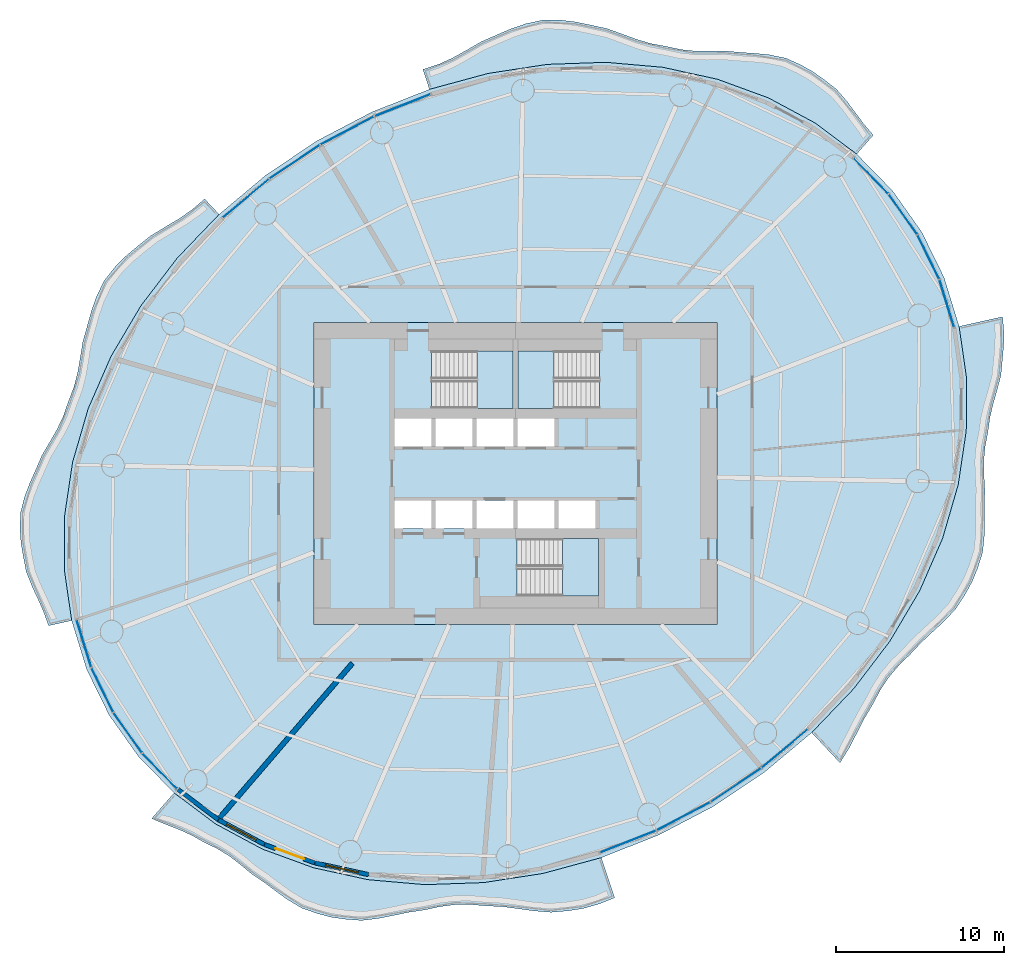
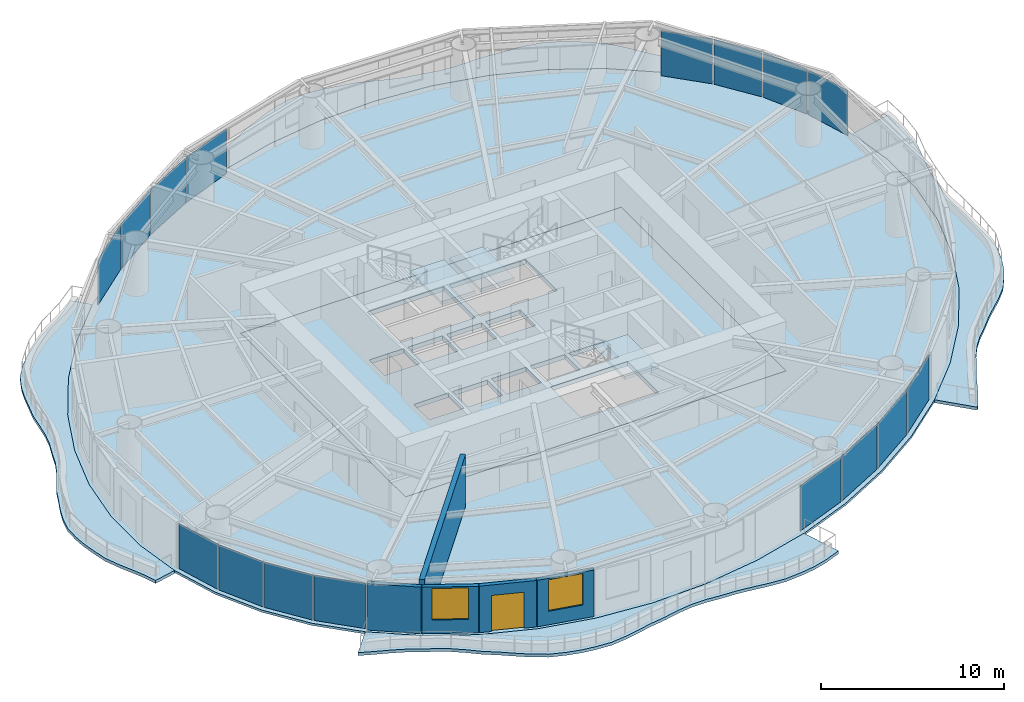
# One storey, part 7 of 14: 16 plates, 9 slabs, 5 walls, 2 windows, 1 door, 3 openings, 19 elements without a shape of their own.
"""IFC4 building model written with IfcOpenShell, lengths in metres."""

from ifc_helpers import new_model, si_unit, direction, frame, frame_2d, origin, origin_2d, place, context, subcontext, project, spatial, polyline, rectangle, outline, extrude, material, layer, layer_set, type_object, element, fill, aggregate, save


model = new_model("IFC4")

# Units and contexts
model_context = context("Model", 3, precision=1e-05, world=origin(), true_north=direction((0.0, 1.0)))
body_context = subcontext(model_context, "Body", "Model", "MODEL_VIEW")
ifc_project = project(units=[si_unit("LENGTHUNIT", "METRE"), si_unit("AREAUNIT", "SQUARE_METRE"), si_unit("VOLUMEUNIT", "CUBIC_METRE"), si_unit("PLANEANGLEUNIT", "RADIAN"), si_unit("MASSUNIT", "GRAM", prefix="KILO")], contexts=[model_context])

# Site, building, storey
site_placement = place(None, origin())
site = spatial("IfcSite", under=ifc_project, at=site_placement, CompositionType="ELEMENT")
building_placement = place(site_placement, origin())
building = spatial("IfcBuilding", under=site, at=building_placement, Name="Vermilion Reach Broadcast Tower", CompositionType="ELEMENT")
storey_placement = place(building_placement, frame((0.0, 0.0, 157.800048828125)))
storey = spatial("IfcBuildingStorey", under=building, at=storey_placement, Name="L37", CompositionType="ELEMENT", Elevation=157.800048828125)

# Slabs
ifc_material_1 = material(Name="Concrete C40/50", Category="concrete")
ifc_layer_1 = layer(ifc_material_1, 0.199951171875)
ifc_layer_set_1 = layer_set([ifc_layer_1], Name="Balcony slab 200")
slab_type_1 = type_object("IfcSlabType", Name="Balcony slab 200", PredefinedType="FLOOR", material=ifc_layer_set_1)
placement_1 = place(storey_placement, frame((0.0, 0.0, -0.199951171875)))
element("IfcSlab", 1, at=placement_1, inside=storey, type_object=slab_type_1, Name="Balcony slab L37 group 1", PredefinedType="FLOOR", context=body_context, shape_type="SweptSolid", body=[
    extrude(outline(polyline([(14.321044921875, 19.0185546875), (11.844482421875, 20.869873046875), (9.0625, 22.364013671875), (6.02294921875, 23.4755859375), (2.777587890625, 24.185302734375), (-0.617919921875, 24.4814453125), (-4.10546875, 24.358642578125), (-7.62548828125, 23.81884765625), (-11.117919921875, 22.871826171875), (-11.511474609375, 24.060546875), (-10.583984375, 24.359130859375), (-9.749267578125, 24.737060546875), (-8.934814453125, 25.190185546875), (-8.026611328125, 25.714111328125), (-7.0791015625, 26.128662109375), (-6.233642578125, 26.489990234375), (-5.377685546875, 26.780517578125), (-4.353759765625, 27.0009765625), (-3.325439453125, 26.997314453125), (-2.448974609375, 26.89404296875), (-1.569580078125, 26.71533203125), (-0.56591796875, 26.495849609375), (0.38330078125, 26.15478515625), (1.212158203125, 25.850830078125), (2.0458984375, 25.60498046875), (2.9677734375, 25.433837890625), (3.858642578125, 25.241455078125), (4.689697265625, 25.153564453125), (5.537109375, 25.141357421875), (6.511962890625, 25.157958984375), (7.467041015625, 25.06884765625), (8.30908203125, 25.015380859375), (9.13916015625, 24.929443359375), (10.121337890625, 24.723876953125), (11.010009765625, 24.321533203125), (11.697998046875, 23.934326171875), (12.348388671875, 23.4765625), (13.1220703125, 22.87451171875), (13.7578125, 22.138427734375), (14.237548828125, 21.4892578125), (14.71875, 20.841796875), (15.309814453125, 20.14794921875), (14.321044921875, 19.0185546875)])), origin(), (0.0, 0.0, 1.0), 0.199951171875),
])
element("IfcSlab", 2, at=placement_1, inside=storey, type_object=slab_type_1, Name="Balcony slab L37 group 2", PredefinedType="FLOOR", context=body_context, shape_type="SweptSolid", body=[
    extrude(outline(polyline([(-23.641845703125, 15.429443359375), (-26.143310546875, 12.815185546875), (-28.30029296875, 9.9814453125), (-30.075439453125, 6.976806640625), (-31.43896484375, 3.85302734375), (-32.366943359375, 0.663330078125), (-32.84375, -2.537841796875), (-32.861572265625, -5.695556640625), (-32.41943359375, -8.755859375), (-33.797119140625, -9.06494140625), (-34.098388671875, -8.21728515625), (-34.425048828125, -7.4833984375), (-34.767822265625, -6.751953125), (-35.125, -5.851806640625), (-35.312744140625, -4.892578125), (-35.442138671875, -4.102294921875), (-35.496337890625, -3.3125), (-35.46728515625, -2.336181640625), (-35.215576171875, -1.366455078125), (-34.921875, -0.59228515625), (-34.58056640625, 0.175048828125), (-34.199951171875, 1.064453125), (-33.70068359375, 1.916259765625), (-33.2763671875, 2.65771484375), (-32.917236328125, 3.418212890625), (-32.61669921875, 4.279296875), (-32.28515625, 5.152099609375), (-32.06787109375, 5.987060546875), (-31.915771484375, 6.850341796875), (-31.7568359375, 7.83642578125), (-31.481201171875, 8.82080078125), (-31.239990234375, 9.691650390625), (-30.9453125, 10.53076171875), (-30.4970703125, 11.458984375), (-29.852783203125, 12.281982421875), (-29.2216796875, 12.92041015625), (-28.52392578125, 13.50830078125), (-27.712646484375, 14.155517578125), (-26.80859375, 14.70361328125), (-26.003173828125, 15.18505859375), (-25.24365234375, 15.710205078125), (-24.5029296875, 16.34912109375), (-23.641845703125, 15.429443359375)])), origin(), (0.0, 0.0, 1.0), 0.199951171875),
])
element("IfcSlab", 3, at=placement_1, inside=storey, type_object=slab_type_1, Name="Balcony slab L37 group 3", PredefinedType="FLOOR", context=body_context, shape_type="SweptSolid", body=[
    extrude(outline(polyline([(-26.321044921875, -19.0185546875), (-23.844482421875, -20.869873046875), (-21.0625, -22.364013671875), (-18.02294921875, -23.4755859375), (-14.777587890625, -24.185302734375), (-11.382080078125, -24.4814453125), (-7.89453125, -24.358642578125), (-4.37451171875, -23.81884765625), (-0.882080078125, -22.871826171875), (-0.09033203125, -25.262939453125), (-1.066650390625, -25.647216796875), (-1.93701171875, -25.89453125), (-2.8349609375, -26.0390625), (-3.885498046875, -26.1298828125), (-4.934326171875, -26.0419921875), (-5.855224609375, -25.91015625), (-6.773681640625, -25.7939453125), (-7.764404296875, -25.743408203125), (-8.721435546875, -25.661865234375), (-9.593994140625, -25.67431640625), (-10.463134765625, -25.786376953125), (-11.421142578125, -25.9892578125), (-12.38134765625, -26.13330078125), (-13.25244140625, -26.314697265625), (-14.123291015625, -26.4912109375), (-15.1474609375, -26.6142578125), (-16.142822265625, -26.540283203125), (-16.96630859375, -26.41845703125), (-17.7705078125, -26.2080078125), (-18.72119140625, -25.876953125), (-19.576171875, -25.366943359375), (-20.257080078125, -24.873291015625), (-20.9326171875, -24.364501953125), (-21.72021484375, -23.830078125), (-22.428955078125, -23.239501953125), (-23.06640625, -22.75830078125), (-23.740478515625, -22.3447265625), (-24.5380859375, -21.958251953125), (-25.301025390625, -21.52734375), (-26.024169921875, -21.20361328125), (-26.772705078125, -20.9140625), (-27.657958984375, -20.54541015625), (-26.321044921875, -19.0185546875)])), origin(), (0.0, 0.0, 1.0), 0.199951171875),
])
element("IfcSlab", 4, at=placement_1, inside=storey, type_object=slab_type_1, Name="Balcony slab L37 group 4", PredefinedType="FLOOR", context=body_context, shape_type="SweptSolid", body=[
    extrude(outline(polyline([(11.641845703125, -15.429443359375), (14.143310546875, -12.815185546875), (16.30029296875, -9.9814453125), (18.075439453125, -6.976806640625), (19.43896484375, -3.85302734375), (20.366943359375, -0.663330078125), (20.84375, 2.537841796875), (20.861572265625, 5.695556640625), (20.41943359375, 8.755859375), (23.010498046875, 9.337158203125), (23.092041015625, 8.36083984375), (23.072998046875, 7.5771484375), (22.99755859375, 6.78515625), (22.907958984375, 5.8369140625), (22.6630859375, 4.89599609375), (22.435791015625, 4.10791015625), (22.25146484375, 3.319580078125), (22.131103515625, 2.43896484375), (21.961181640625, 1.553466796875), (21.89013671875, 0.745849609375), (21.8984375, -0.073486328125), (21.954345703125, -1.0107421875), (21.922607421875, -1.980712890625), (21.932373046875, -2.8486328125), (21.921875, -3.71044921875), (21.81689453125, -4.7138671875), (21.508544921875, -5.68603515625), (21.18017578125, -6.472412109375), (20.764892578125, -7.220947265625), (20.21435546875, -8.0703125), (19.49609375, -8.82958984375), (18.825927734375, -9.447021484375), (18.16162109375, -10.06787109375), (17.491943359375, -10.782958984375), (16.7900390625, -11.47314453125), (16.216796875, -12.155517578125), (15.7265625, -12.901123046875), (15.26171875, -13.7705078125), (14.746826171875, -14.64453125), (14.317138671875, -15.4853515625), (13.885009765625, -16.32373046875), (13.3271484375, -17.229248046875), (11.641845703125, -15.429443359375)])), origin(), (0.0, 0.0, 1.0), 0.199951171875),
])
ifc_material_2 = material(Name="Concrete C40", Category="concrete")
ifc_layer_2 = layer(ifc_material_2, 0.300048828125)
ifc_layer_set_2 = layer_set([ifc_layer_2], Name="Core floor slab 300 mm Concrete C40")
slab_type_2 = type_object("IfcSlabType", Name="Core floor slab 300 mm Concrete C40", PredefinedType="FLOOR", material=ifc_layer_set_2)
slab_5_placement = place(storey_placement, frame((0.0, 0.0, -0.300048828125)))
element("IfcSlab", 5, at=slab_5_placement, inside=storey, type_object=slab_type_2, Name="L37 core floor", PredefinedType="FLOOR", context=body_context, shape_type="SweptSolid", body=[
    extrude(outline(polyline([(-18.0, -9.0), (6.0, -9.0), (6.0, 9.0), (-18.0, 9.0), (-18.0, -9.0)]), holes=[polyline([(-13.199951171875, 1.60009765625), (-11.00830078125, 1.60009765625), (-11.00830078125, 3.280029296875), (-13.199951171875, 3.280029296875), (-13.199951171875, 1.60009765625)]), polyline([(-10.75830078125, 1.60009765625), (-8.566650390625, 1.60009765625), (-8.566650390625, 3.280029296875), (-10.75830078125, 3.280029296875), (-10.75830078125, 1.60009765625)]), polyline([(-8.316650390625, 1.60009765625), (-6.125, 1.60009765625), (-6.125, 3.280029296875), (-8.316650390625, 3.280029296875), (-8.316650390625, 1.60009765625)]), polyline([(-5.875, 1.60009765625), (-3.683349609375, 1.60009765625), (-3.683349609375, 3.280029296875), (-5.875, 3.280029296875), (-5.875, 1.60009765625)]), polyline([(-13.199951171875, -3.280029296875), (-11.00830078125, -3.280029296875), (-11.00830078125, -1.60009765625), (-13.199951171875, -1.60009765625), (-13.199951171875, -3.280029296875)]), polyline([(-10.75830078125, -3.280029296875), (-8.566650390625, -3.280029296875), (-8.566650390625, -1.60009765625), (-10.75830078125, -1.60009765625), (-10.75830078125, -3.280029296875)]), polyline([(-8.316650390625, -3.280029296875), (-6.125, -3.280029296875), (-6.125, -1.60009765625), (-8.316650390625, -1.60009765625), (-8.316650390625, -3.280029296875)]), polyline([(-5.875, -3.280029296875), (-3.683349609375, -3.280029296875), (-3.683349609375, -1.60009765625), (-5.875, -1.60009765625), (-5.875, -3.280029296875)]), polyline([(-3.433349609375, -3.280029296875), (-1.24169921875, -3.280029296875), (-1.24169921875, -1.60009765625), (-3.433349609375, -1.60009765625), (-3.433349609375, -3.280029296875)]), polyline([(-10.999267578125, 3.8798828125), (-6.14990234375, 3.8798828125), (-6.14990234375, 7.300048828125), (-10.999267578125, 7.300048828125), (-10.999267578125, 3.8798828125)]), polyline([(-1.000732421875, 7.300048828125), (-5.85009765625, 7.300048828125), (-5.85009765625, 3.8798828125), (-1.000732421875, 3.8798828125), (-1.000732421875, 7.300048828125)]), polyline([(-5.8994140625, -7.300048828125), (-1.050048828125, -7.300048828125), (-1.050048828125, -3.8798828125), (-5.8994140625, -3.8798828125), (-5.8994140625, -7.300048828125)])]), origin(), (0.0, 0.0, 1.0), 0.300048828125),
])

# Stair, slab
ifc_material_3 = material(Name="Concrete C40", Category="concrete")
stair_type = type_object("IfcStairType", Name="Exit stair RC 22 risers 164 mm", PredefinedType="HALF_TURN_STAIR", material=ifc_material_3)
placement_2 = place(storey_placement, origin())
stair_1 = element("IfcStair", 6, at=placement_2, inside=storey, type_object=stair_type, Name="L37 Exit stair ST1", PredefinedType="HALF_TURN_STAIR")
ifc_material_4 = material(Name="Concrete C40", Category="concrete")
ifc_layer_3 = layer(ifc_material_4, 0.199951171875)
ifc_layer_set_3 = layer_set([ifc_layer_3], Name="Exit stair landing Concrete C40")
slab_type_3 = type_object("IfcSlabType", Name="Exit stair landing Concrete C40", PredefinedType="LANDING", material=ifc_layer_set_3)
placement_3 = place(storey_placement, frame((0.0, 0.0, 1.599853515625)))
slab_6 = element("IfcSlab", 7, at=placement_3, type_object=slab_type_3, Name="ST1 landing 1", PredefinedType="LANDING", context=body_context, shape_type="SweptSolid", body=[
    extrude(outline(polyline([(-8.300048828125, 3.8798828125), (-6.14990234375, 3.8798828125), (-6.14990234375, 7.300048828125), (-8.300048828125, 7.300048828125), (-8.300048828125, 3.8798828125)])), origin(), (0.0, 0.0, 1.0), 0.2001953125),
])
aggregate(stair_1, [slab_6])

stair_2 = element("IfcStair", 8, at=placement_2, inside=storey, type_object=stair_type, Name="L37 Exit stair ST2", PredefinedType="HALF_TURN_STAIR")
slab_7 = element("IfcSlab", 9, at=placement_3, type_object=slab_type_3, Name="ST2 landing 1", PredefinedType="LANDING", context=body_context, shape_type="SweptSolid", body=[
    extrude(outline(polyline([(-3.699951171875, 7.300048828125), (-5.85009765625, 7.300048828125), (-5.85009765625, 3.8798828125), (-3.699951171875, 3.8798828125), (-3.699951171875, 7.300048828125)])), origin(), (0.0, 0.0, 1.0), 0.2001953125),
])
aggregate(stair_2, [slab_7])

stair_3 = element("IfcStair", 10, at=placement_2, inside=storey, type_object=stair_type, Name="L37 Exit stair ST3", PredefinedType="HALF_TURN_STAIR")
slab_8 = element("IfcSlab", 11, at=placement_3, type_object=slab_type_3, Name="ST3 landing 1", PredefinedType="LANDING", context=body_context, shape_type="SweptSolid", body=[
    extrude(outline(polyline([(-3.199951171875, -7.300048828125), (-1.050048828125, -7.300048828125), (-1.050048828125, -3.8798828125), (-3.199951171875, -3.8798828125), (-3.199951171875, -7.300048828125)])), origin(), (0.0, 0.0, 1.0), 0.2001953125),
])
aggregate(stair_3, [slab_8])

# Slab
ifc_material_5 = material(Name="Concrete C40", Category="concrete")
ifc_layer_4 = layer(ifc_material_5, 0.14990234375)
ifc_layer_set_4 = layer_set([ifc_layer_4], Name="Floor slab Concrete C40 composite 150")
slab_type_4 = type_object("IfcSlabType", Name="Floor slab Concrete C40 composite 150", PredefinedType="FLOOR", material=ifc_layer_set_4)
slab_9_placement = place(storey_placement, frame((0.0, 0.0, -0.150146484375)))
element("IfcSlab", 12, at=slab_9_placement, inside=storey, type_object=slab_type_4, Name="Floor slab L37", PredefinedType="FLOOR", context=body_context, shape_type="SweptSolid", body=[
    extrude(outline(polyline([(18.194580078125, 14.377197265625), (16.449951171875, 16.842041015625), (14.321044921875, 19.0185546875), (11.844482421875, 20.869873046875), (9.0625, 22.364013671875), (6.02294921875, 23.4755859375), (2.777587890625, 24.185302734375), (-0.617919921875, 24.4814453125), (-4.10546875, 24.358642578125), (-7.62548828125, 23.81884765625), (-11.117919921875, 22.871826171875), (-14.5224609375, 21.533203125), (-17.78125, 19.826171875), (-20.838623046875, 17.780029296875), (-23.641845703125, 15.429443359375), (-26.143310546875, 12.815185546875), (-28.30029296875, 9.9814453125), (-30.075439453125, 6.976806640625), (-31.43896484375, 3.85302734375), (-32.366943359375, 0.663330078125), (-32.84375, -2.537841796875), (-32.861572265625, -5.695556640625), (-32.41943359375, -8.755859375), (-31.525390625, -11.666259765625), (-30.194580078125, -14.377197265625), (-28.449951171875, -16.842041015625), (-26.321044921875, -19.0185546875), (-23.844482421875, -20.869873046875), (-21.0625, -22.364013671875), (-18.02294921875, -23.4755859375), (-14.777587890625, -24.185302734375), (-11.382080078125, -24.4814453125), (-7.89453125, -24.358642578125), (-4.37451171875, -23.81884765625), (-0.882080078125, -22.871826171875), (2.5224609375, -21.533203125), (5.78125, -19.826171875), (8.838623046875, -17.780029296875), (11.641845703125, -15.429443359375), (14.143310546875, -12.815185546875), (16.30029296875, -9.9814453125), (18.075439453125, -6.976806640625), (19.43896484375, -3.85302734375), (20.366943359375, -0.663330078125), (20.84375, 2.537841796875), (20.861572265625, 5.695556640625), (20.41943359375, 8.755859375), (19.525390625, 11.666259765625), (18.194580078125, 14.377197265625)]), holes=[polyline([(-18.0, -9.0), (6.0, -9.0), (6.0, 9.0), (-18.0, 9.0), (-18.0, -9.0)])]), origin(), (0.0, 0.0, 1.0), 0.150146484375),
])

# Curtain wall, plate
ifc_material_6 = material(Name="Low-e laminated clear glass in aluminium frame", Category="aluminium")
curtain_wall_type = type_object("IfcCurtainWallType", Name="Slot curtain wall", PredefinedType="NOTDEFINED", material=ifc_material_6)
curtain_wall_1 = element("IfcCurtainWall", 13, at=placement_2, inside=storey, type_object=curtain_wall_type, Name="Slot curtain wall L37 46", PredefinedType="NOTDEFINED")
ifc_material_7 = material(Name="Low-e laminated clear glass", Category="glass")
ifc_layer_5 = layer(ifc_material_7, 0.028076171875)
ifc_layer_set_5 = layer_set([ifc_layer_5], Name="Slot glass panel")
plate_type = type_object("IfcPlateType", Name="Slot glass panel", PredefinedType="CURTAIN_PANEL", material=ifc_layer_set_5)
plate_1_placement = place(storey_placement, frame((19.6865234375, 10.123046875, 0.0), z_axis=(0.0, 0.0, 1.0), x_axis=(-0.293630981835, 0.955918849331, 0.0)))
plate_1 = element("IfcPlate", 14, at=plate_1_placement, type_object=plate_type, Name="Slot glass panel L37 46", PredefinedType="CURTAIN_PANEL", context=body_context, shape_type="SweptSolid", body=[
    extrude(rectangle(XDim=2.917724609375, YDim=0.028076171875, at=origin_2d()), origin(), (0.0, 0.0, 1.0), 3.0),
])
aggregate(curtain_wall_1, [plate_1])

curtain_wall_2 = element("IfcCurtainWall", 15, at=placement_2, inside=storey, type_object=curtain_wall_type, Name="Slot curtain wall L37 47", PredefinedType="NOTDEFINED")
plate_2_placement = place(storey_placement, frame((18.591552734375, 12.889892578125, 0.0), z_axis=(0.0, 0.0, 1.0), x_axis=(-0.440672081514, 0.897668155041, 0.0)))
plate_2 = element("IfcPlate", 16, at=plate_2_placement, type_object=plate_type, Name="Slot glass panel L37 47", PredefinedType="CURTAIN_PANEL", context=body_context, shape_type="SweptSolid", body=[
    extrude(rectangle(XDim=2.89208984375, YDim=0.028076171875, at=origin_2d()), origin(), (0.0, 0.0, 1.0), 3.0),
])
aggregate(curtain_wall_2, [plate_2])

curtain_wall_3 = element("IfcCurtainWall", 17, at=placement_2, inside=storey, type_object=curtain_wall_type, Name="Slot curtain wall L37 00", PredefinedType="NOTDEFINED")
plate_3_placement = place(storey_placement, frame((17.078125, 15.436767578125, 0.0), z_axis=(0.0, 0.0, 1.0), x_axis=(-0.577761189369, 0.816205861324, 0.0)))
plate_3 = element("IfcPlate", 18, at=plate_3_placement, type_object=plate_type, Name="Slot glass panel L37 00", PredefinedType="CURTAIN_PANEL", context=body_context, shape_type="SweptSolid", body=[
    extrude(rectangle(XDim=2.89208984375, YDim=0.028076171875, at=origin_2d()), origin(), (0.0, 0.0, 1.0), 3.0),
])
aggregate(curtain_wall_3, [plate_3])

curtain_wall_4 = element("IfcCurtainWall", 19, at=placement_2, inside=storey, type_object=curtain_wall_type, Name="Slot curtain wall L37 01", PredefinedType="NOTDEFINED")
plate_4_placement = place(storey_placement, frame((15.171630859375, 17.721435546875, 0.0), z_axis=(0.0, 0.0, 1.0), x_axis=(-0.699220939208, 0.714905642846, 0.0)))
plate_4 = element("IfcPlate", 20, at=plate_4_placement, type_object=plate_type, Name="Slot glass panel L37 01", PredefinedType="CURTAIN_PANEL", context=body_context, shape_type="SweptSolid", body=[
    extrude(rectangle(XDim=2.917724609375, YDim=0.028076171875, at=origin_2d()), origin(), (0.0, 0.0, 1.0), 3.0),
])
aggregate(curtain_wall_4, [plate_4])

curtain_wall_5 = element("IfcCurtainWall", 21, at=placement_2, inside=storey, type_object=curtain_wall_type, Name="Slot curtain wall L37 10", PredefinedType="NOTDEFINED")
plate_5_placement = place(storey_placement, frame((-12.710693359375, 21.923583984375, 0.0), z_axis=(0.0, 0.0, 1.0), x_axis=(-0.93065751349, -0.365891503843, 0.0)))
plate_5 = element("IfcPlate", 22, at=plate_5_placement, type_object=plate_type, Name="Slot glass panel L37 10", PredefinedType="CURTAIN_PANEL", context=body_context, shape_type="SweptSolid", body=[
    extrude(rectangle(XDim=3.545654296875, YDim=0.028076171875, at=origin_2d()), origin(), (0.0, 0.0, 1.0), 3.0),
])
aggregate(curtain_wall_5, [plate_5])

curtain_wall_6 = element("IfcCurtainWall", 23, at=placement_2, inside=storey, type_object=curtain_wall_type, Name="Slot curtain wall L37 11", PredefinedType="NOTDEFINED")
plate_6_placement = place(storey_placement, frame((-16.012939453125, 20.414306640625, 0.0), z_axis=(0.0, 0.0, 1.0), x_axis=(-0.88583395599, -0.464002373286, 0.0)))
plate_6 = element("IfcPlate", 24, at=plate_6_placement, type_object=plate_type, Name="Slot glass panel L37 11", PredefinedType="CURTAIN_PANEL", context=body_context, shape_type="SweptSolid", body=[
    extrude(rectangle(XDim=3.566650390625, YDim=0.028076171875, at=origin_2d()), origin(), (0.0, 0.0, 1.0), 3.0),
])
aggregate(curtain_wall_6, [plate_6])

curtain_wall_7 = element("IfcCurtainWall", 25, at=placement_2, inside=storey, type_object=curtain_wall_type, Name="Slot curtain wall L37 12", PredefinedType="NOTDEFINED")
plate_7_placement = place(storey_placement, frame((-19.143310546875, 18.55419921875, 0.0), z_axis=(0.0, 0.0, 1.0), x_axis=(-0.831039631204, -0.556213206754, 0.0)))
plate_7 = element("IfcPlate", 26, at=plate_7_placement, type_object=plate_type, Name="Slot glass panel L37 12", PredefinedType="CURTAIN_PANEL", context=body_context, shape_type="SweptSolid", body=[
    extrude(rectangle(XDim=3.566650390625, YDim=0.028076171875, at=origin_2d()), origin(), (0.0, 0.0, 1.0), 3.0),
])
aggregate(curtain_wall_7, [plate_7])

curtain_wall_8 = element("IfcCurtainWall", 27, at=placement_2, inside=storey, type_object=curtain_wall_type, Name="Slot curtain wall L37 13", PredefinedType="NOTDEFINED")
plate_8_placement = place(storey_placement, frame((-22.047607421875, 16.375244140625, 0.0), z_axis=(0.0, 0.0, 1.0), x_axis=(-0.766296175423, -0.642487487452, 0.0)))
plate_8 = element("IfcPlate", 28, at=plate_8_placement, type_object=plate_type, Name="Slot glass panel L37 13", PredefinedType="CURTAIN_PANEL", context=body_context, shape_type="SweptSolid", body=[
    extrude(rectangle(XDim=3.545654296875, YDim=0.028076171875, at=origin_2d()), origin(), (0.0, 0.0, 1.0), 3.0),
])
aggregate(curtain_wall_8, [plate_8])

curtain_wall_9 = element("IfcCurtainWall", 29, at=placement_2, inside=storey, type_object=curtain_wall_type, Name="Slot curtain wall L37 22", PredefinedType="NOTDEFINED")
plate_9_placement = place(storey_placement, frame((-31.6865234375, -10.123046875, 0.0), z_axis=(0.0, 0.0, 1.0), x_axis=(0.293630981835, -0.955918849331, 0.0)))
plate_9 = element("IfcPlate", 30, at=plate_9_placement, type_object=plate_type, Name="Slot glass panel L37 22", PredefinedType="CURTAIN_PANEL", context=body_context, shape_type="SweptSolid", body=[
    extrude(rectangle(XDim=2.917724609375, YDim=0.028076171875, at=origin_2d()), origin(), (0.0, 0.0, 1.0), 3.0),
])
aggregate(curtain_wall_9, [plate_9])

curtain_wall_10 = element("IfcCurtainWall", 31, at=placement_2, inside=storey, type_object=curtain_wall_type, Name="Slot curtain wall L37 23", PredefinedType="NOTDEFINED")
plate_10_placement = place(storey_placement, frame((-30.591552734375, -12.889892578125, 0.0), z_axis=(0.0, 0.0, 1.0), x_axis=(0.440672081514, -0.897668155041, 0.0)))
plate_10 = element("IfcPlate", 32, at=plate_10_placement, type_object=plate_type, Name="Slot glass panel L37 23", PredefinedType="CURTAIN_PANEL", context=body_context, shape_type="SweptSolid", body=[
    extrude(rectangle(XDim=2.89208984375, YDim=0.028076171875, at=origin_2d()), origin(), (0.0, 0.0, 1.0), 3.0),
])
aggregate(curtain_wall_10, [plate_10])

curtain_wall_11 = element("IfcCurtainWall", 33, at=placement_2, inside=storey, type_object=curtain_wall_type, Name="Slot curtain wall L37 24", PredefinedType="NOTDEFINED")
plate_11_placement = place(storey_placement, frame((-29.078125, -15.436767578125, 0.0), z_axis=(0.0, 0.0, 1.0), x_axis=(0.577761189369, -0.816205861324, 0.0)))
plate_11 = element("IfcPlate", 34, at=plate_11_placement, type_object=plate_type, Name="Slot glass panel L37 24", PredefinedType="CURTAIN_PANEL", context=body_context, shape_type="SweptSolid", body=[
    extrude(rectangle(XDim=2.89208984375, YDim=0.028076171875, at=origin_2d()), origin(), (0.0, 0.0, 1.0), 3.0),
])
aggregate(curtain_wall_11, [plate_11])

curtain_wall_12 = element("IfcCurtainWall", 35, at=placement_2, inside=storey, type_object=curtain_wall_type, Name="Slot curtain wall L37 25", PredefinedType="NOTDEFINED")
plate_12_placement = place(storey_placement, frame((-27.171630859375, -17.721435546875, 0.0), z_axis=(0.0, 0.0, 1.0), x_axis=(0.699220939208, -0.714905642846, 0.0)))
plate_12 = element("IfcPlate", 36, at=plate_12_placement, type_object=plate_type, Name="Slot glass panel L37 25", PredefinedType="CURTAIN_PANEL", context=body_context, shape_type="SweptSolid", body=[
    extrude(rectangle(XDim=2.917724609375, YDim=0.028076171875, at=origin_2d()), origin(), (0.0, 0.0, 1.0), 3.0),
])
aggregate(curtain_wall_12, [plate_12])

curtain_wall_13 = element("IfcCurtainWall", 37, at=placement_2, inside=storey, type_object=curtain_wall_type, Name="Slot curtain wall L37 34", PredefinedType="NOTDEFINED")
plate_13_placement = place(storey_placement, frame((0.710693359375, -21.923583984375, 0.0), z_axis=(0.0, 0.0, 1.0), x_axis=(0.93065751349, 0.365891503843, 0.0)))
plate_13 = element("IfcPlate", 38, at=plate_13_placement, type_object=plate_type, Name="Slot glass panel L37 34", PredefinedType="CURTAIN_PANEL", context=body_context, shape_type="SweptSolid", body=[
    extrude(rectangle(XDim=3.545654296875, YDim=0.028076171875, at=origin_2d()), origin(), (0.0, 0.0, 1.0), 3.0),
])
aggregate(curtain_wall_13, [plate_13])

curtain_wall_14 = element("IfcCurtainWall", 39, at=placement_2, inside=storey, type_object=curtain_wall_type, Name="Slot curtain wall L37 35", PredefinedType="NOTDEFINED")
plate_14_placement = place(storey_placement, frame((4.012939453125, -20.414306640625, 0.0), z_axis=(0.0, 0.0, 1.0), x_axis=(0.88583395599, 0.464002373286, 0.0)))
plate_14 = element("IfcPlate", 40, at=plate_14_placement, type_object=plate_type, Name="Slot glass panel L37 35", PredefinedType="CURTAIN_PANEL", context=body_context, shape_type="SweptSolid", body=[
    extrude(rectangle(XDim=3.566650390625, YDim=0.028076171875, at=origin_2d()), origin(), (0.0, 0.0, 1.0), 3.0),
])
aggregate(curtain_wall_14, [plate_14])

curtain_wall_15 = element("IfcCurtainWall", 41, at=placement_2, inside=storey, type_object=curtain_wall_type, Name="Slot curtain wall L37 36", PredefinedType="NOTDEFINED")
plate_15_placement = place(storey_placement, frame((7.143310546875, -18.55419921875, 0.0), z_axis=(0.0, 0.0, 1.0), x_axis=(0.831039631204, 0.556213206754, 0.0)))
plate_15 = element("IfcPlate", 42, at=plate_15_placement, type_object=plate_type, Name="Slot glass panel L37 36", PredefinedType="CURTAIN_PANEL", context=body_context, shape_type="SweptSolid", body=[
    extrude(rectangle(XDim=3.566650390625, YDim=0.028076171875, at=origin_2d()), origin(), (0.0, 0.0, 1.0), 3.0),
])
aggregate(curtain_wall_15, [plate_15])

curtain_wall_16 = element("IfcCurtainWall", 43, at=placement_2, inside=storey, type_object=curtain_wall_type, Name="Slot curtain wall L37 37", PredefinedType="NOTDEFINED")
plate_16_placement = place(storey_placement, frame((10.047607421875, -16.375244140625, 0.0), z_axis=(0.0, 0.0, 1.0), x_axis=(0.766296175423, 0.642487487452, 0.0)))
plate_16 = element("IfcPlate", 44, at=plate_16_placement, type_object=plate_type, Name="Slot glass panel L37 37", PredefinedType="CURTAIN_PANEL", context=body_context, shape_type="SweptSolid", body=[
    extrude(rectangle(XDim=3.545654296875, YDim=0.028076171875, at=origin_2d()), origin(), (0.0, 0.0, 1.0), 3.0),
])
aggregate(curtain_wall_16, [plate_16])

# Walls
ifc_material_8 = material(Name="Double-leaf plasterboard on isolated steel stud", Category="steel")
ifc_layer_6 = layer(ifc_material_8, 0.300048828125)
ifc_layer_set_6 = layer_set([ifc_layer_6], Name="Partition 300 acoustic double leaf")
wall_type_1 = type_object("IfcWallType", Name="Partition 300 acoustic double leaf", PredefinedType="PARTITIONING", material=ifc_layer_set_6)
wall_1_placement = place(storey_placement, frame((-23.6162109375, -20.51123046875, 0.0), z_axis=(0.0, 0.0, 1.0), x_axis=(0.65154594092, 0.758609179268, 0.0)))
element("IfcWall", 45, at=wall_1_placement, inside=storey, type_object=wall_type_1, Name="Partition 37.06", PredefinedType="PARTITIONING", context=body_context, shape_type="SweptSolid", body=[
    extrude(rectangle(XDim=12.14501953125, YDim=0.300048828125, at=frame_2d((6.072509765625, 0.0))), origin(), (0.0, 0.0, 1.0), 3.449951171875),
])
ifc_material_9 = material(Name="Terracotta rainscreen cladding", Category="masonry")
ifc_layer_7 = layer(ifc_material_9, 0.25)
ifc_layer_set_7 = layer_set([ifc_layer_7], Name="Terracotta rainscreen wall 250")
wall_type_2 = type_object("IfcWallType", Name="Terracotta rainscreen wall 250", PredefinedType="SOLIDWALL", material=ifc_layer_set_7)
wall_2_placement = place(storey_placement, frame((-26.07958984375, -18.82568359375, 0.0), z_axis=(0.0, 0.0, 1.0), x_axis=(0.800953148143, -0.598727028353, 0.0)))
element("IfcWall", 46, at=wall_2_placement, inside=storey, type_object=wall_type_2, Name="External wall L37 26", PredefinedType="SOLIDWALL", context=body_context, shape_type="SweptSolid", body=[
    extrude(rectangle(XDim=2.978271484375, YDim=0.25, at=frame_2d((1.4892578125, 0.0))), origin(), (0.0, 0.0, 1.0), 3.099853515625),
])

# Wall, opening, window
wall_3_placement = place(storey_placement, frame((-23.671630859375, -20.623046875, 0.0), z_axis=(0.0, 0.0, 1.0), x_axis=(0.880950483719, -0.473208458541, 0.0)))
wall_3 = element("IfcWall", 47, at=wall_3_placement, inside=storey, type_object=wall_type_2, Name="External wall L37 27", PredefinedType="SOLIDWALL", context=body_context, shape_type="SweptSolid", body=[
    extrude(rectangle(XDim=3.087890625, YDim=0.25, at=frame_2d((1.5439453125, 0.0))), origin(), (0.0, 0.0, 1.0), 3.099853515625),
])
opening_1_placement = place(wall_3_placement, frame((0.5439453125, 0.0, 0.89990234375)))
opening_1 = element("IfcOpeningElement", 48, at=opening_1_placement, cuts=wall_3, Name="Opening W03", PredefinedType="OPENING", context=body_context, shape_type="SweptSolid", body=[
    extrude(rectangle(XDim=2.0, YDim=2.10009765625, at=frame_2d((1.0, 1.050048828125))), frame((0.0, 0.135009765625, 0.0), z_axis=(0.0, -1.0, 0.0), x_axis=(1.0, 0.0, 0.0)), (0.0, 0.0, 1.0), 0.27001953125),
])
ifc_material_10 = material(Name="Low-e laminated clear glass in aluminium frame", Category="aluminium")
window_type = type_object("IfcWindowType", Name="Punched window 2000 x 2100 sill 900", PartitioningType="SINGLE_PANEL", PredefinedType="WINDOW", material=ifc_material_10)
window_1_placement = place(opening_1_placement, origin())
window_1 = element("IfcWindow", 49, at=window_1_placement, inside=storey, type_object=window_type, Name="Window L37 27", OverallHeight=2.10009765625, OverallWidth=2.0, PartitioningType="SINGLE_PANEL", PredefinedType="WINDOW", context=body_context, shape_type="SweptSolid", body=[
    extrude(rectangle(XDim=2.0, YDim=2.10009765625, at=frame_2d((1.0, 1.050048828125))), frame((0.0, 0.030029296875, 0.0), z_axis=(0.0, -1.0, 0.0), x_axis=(1.0, 0.0, 0.0)), (0.0, 0.0, 1.0), 0.06005859375),
])
fill(opening_1, window_1)

# Wall, opening, door
wall_4_placement = place(storey_placement, frame((-20.927978515625, -22.0947265625, 0.0), z_axis=(0.0, 0.0, 1.0), x_axis=(0.93919375703, -0.343387662498, 0.0)))
wall_4 = element("IfcWall", 50, at=wall_4_placement, inside=storey, type_object=wall_type_2, Name="External wall L37 28", PredefinedType="SOLIDWALL", context=body_context, shape_type="SweptSolid", body=[
    extrude(rectangle(XDim=3.16943359375, YDim=0.25, at=frame_2d((1.584716796875, 0.0))), origin(), (0.0, 0.0, 1.0), 3.099853515625),
])
opening_2_placement = place(wall_4_placement, frame((0.68505859375, 0.0, 0.0)))
opening_2 = element("IfcOpeningElement", 51, at=opening_2_placement, cuts=wall_4, Name="Opening D70", PredefinedType="OPENING", context=body_context, shape_type="SweptSolid", body=[
    extrude(rectangle(XDim=1.800048828125, YDim=2.39990234375, at=frame_2d((0.89990234375, 1.199951171875))), frame((0.0, 0.135009765625, 0.0), z_axis=(0.0, -1.0, 0.0), x_axis=(1.0, 0.0, 0.0)), (0.0, 0.0, 1.0), 0.27001953125),
])
ifc_material_11 = material(Name="Low-e laminated clear glass in aluminium frame", Category="aluminium")
door_type = type_object("IfcDoorType", Name="Balcony sliding door 1800 x 2400", OperationType="DOUBLE_DOOR_SLIDING", PredefinedType="DOOR", material=ifc_material_11)
door_placement = place(opening_2_placement, origin())
door = element("IfcDoor", 52, at=door_placement, inside=storey, type_object=door_type, Name="Balcony door L37 run 07", OperationType="DOUBLE_DOOR_SLIDING", OverallHeight=2.39990234375, OverallWidth=1.800048828125, PredefinedType="DOOR", context=body_context, shape_type="SweptSolid", body=[
    extrude(rectangle(XDim=1.800048828125, YDim=2.39990234375, at=frame_2d((0.89990234375, 1.199951171875))), frame((0.0, 0.02490234375, 0.0), z_axis=(0.0, -1.0, 0.0), x_axis=(1.0, 0.0, 0.0)), (0.0, 0.0, 1.0), 0.050048828125),
])
fill(opening_2, door)

# Wall, opening, window
wall_5_placement = place(storey_placement, frame((-17.92724609375, -23.190185546875, 0.0), z_axis=(0.0, 0.0, 1.0), x_axis=(0.976913214514, -0.213636540199, 0.0)))
wall_5 = element("IfcWall", 53, at=wall_5_placement, inside=storey, type_object=wall_type_2, Name="External wall L37 29", PredefinedType="SOLIDWALL", context=body_context, shape_type="SweptSolid", body=[
    extrude(rectangle(XDim=3.258056640625, YDim=0.25, at=frame_2d((1.62890625, 0.0))), origin(), (0.0, 0.0, 1.0), 3.099853515625),
])
opening_3_placement = place(wall_5_placement, frame((0.629150390625, 0.0, 0.89990234375)))
opening_3 = element("IfcOpeningElement", 54, at=opening_3_placement, cuts=wall_5, Name="Opening W03", PredefinedType="OPENING", context=body_context, shape_type="SweptSolid", body=[
    extrude(rectangle(XDim=2.0, YDim=2.10009765625, at=frame_2d((1.0, 1.050048828125))), frame((0.0, 0.135009765625, 0.0), z_axis=(0.0, -1.0, 0.0), x_axis=(1.0, 0.0, 0.0)), (0.0, 0.0, 1.0), 0.27001953125),
])
window_2_placement = place(opening_3_placement, origin())
window_2 = element("IfcWindow", 55, at=window_2_placement, inside=storey, type_object=window_type, Name="Window L37 29", OverallHeight=2.10009765625, OverallWidth=2.0, PartitioningType="SINGLE_PANEL", PredefinedType="WINDOW", context=body_context, shape_type="SweptSolid", body=[
    extrude(rectangle(XDim=2.0, YDim=2.10009765625, at=frame_2d((1.0, 1.050048828125))), frame((0.0, 0.030029296875, 0.0), z_axis=(0.0, -1.0, 0.0), x_axis=(1.0, 0.0, 0.0)), (0.0, 0.0, 1.0), 0.06005859375),
])
fill(opening_3, window_2)

save(model, "model.ifc")
